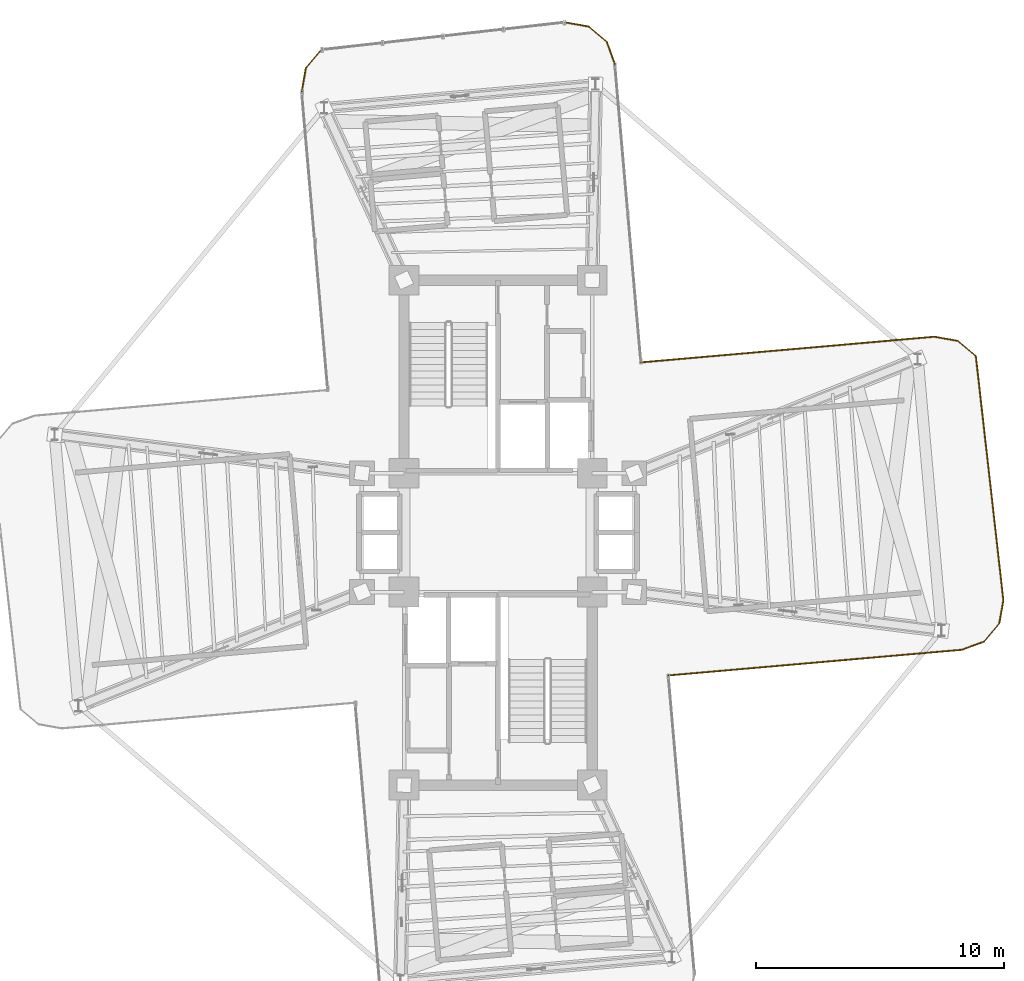
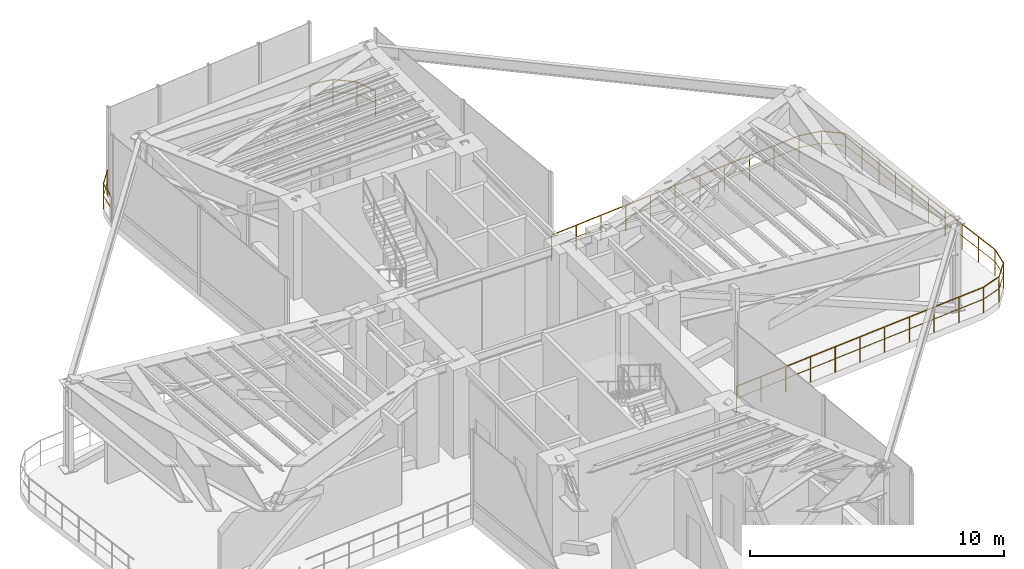
# One storey, part 17 of 17: 13 railings.
"""IFC4 building model written with IfcOpenShell, lengths in metres."""

from ifc_helpers import new_model, si_unit, direction, frame, origin, origin_2d, place, context, subcontext, project, spatial, circle, extrude, material, type_object, element, save


model = new_model("IFC4")

# Units and contexts
model_context = context("Model", 3, precision=1e-05, world=origin(), true_north=direction((0.0, 1.0)))
body_context = subcontext(model_context, "Body", "Model", "MODEL_VIEW")
ifc_project = project(units=[si_unit("LENGTHUNIT", "METRE"), si_unit("AREAUNIT", "SQUARE_METRE"), si_unit("VOLUMEUNIT", "CUBIC_METRE"), si_unit("PLANEANGLEUNIT", "RADIAN"), si_unit("MASSUNIT", "GRAM", prefix="KILO")], contexts=[model_context])

# Site, building, storey
site_placement = place(None, origin())
site = spatial("IfcSite", under=ifc_project, at=site_placement, CompositionType="ELEMENT")
building_placement = place(site_placement, origin())
building = spatial("IfcBuilding", under=site, at=building_placement, Name="Sahyath Konkavel Grand Hotel", CompositionType="ELEMENT")
storey_placement = place(building_placement, frame((0.0, 0.0, 202.0)))
storey = spatial("IfcBuildingStorey", under=building, at=storey_placement, Name="L56", CompositionType="ELEMENT", Elevation=202.0)

# Railings
ifc_material = material(Name="Warm Buff Sandstone & Bronze Balustrade", Category="masonry")
railing_type = type_object("IfcRailingType", Name="RLG-TERR-1250", PredefinedType="BALUSTRADE", material=ifc_material)
railing_1_placement = place(storey_placement, frame((6.87939453125, -5.7724609375, 0.0)))
element("IfcRailing", 1, at=railing_1_placement, inside=storey, type_object=railing_type, Name="L56 Fire Refuge Perimeter Guard 0", PredefinedType="BALUSTRADE", context=body_context, shape_type="SweptSolid", body=[
    extrude(circle(Radius=0.02392578125, at=origin_2d()), frame((0.001953125, 0.000244140625, 1.22607421875), z_axis=(0.996193093931, 0.08717407645, 0.0), x_axis=(-0.08717407645, 0.996193093931, 0.0)), (0.0, 0.0, 1.0), 11.895751953125),
    extrude(circle(Radius=0.01416015625, at=origin_2d()), frame((0.001953125, 0.000244140625, 0.64990234375), z_axis=(0.996193093931, 0.08717407645, 0.0), x_axis=(-0.08717407645, 0.996193093931, 0.0)), (0.0, 0.0, 1.0), 11.895751953125),
    extrude(circle(Radius=0.02099609375, at=origin_2d()), origin(), (0.0, 0.0, 1.0), 1.201904296875),
    extrude(circle(Radius=0.02099609375, at=origin_2d()), frame((1.185546875, 0.103759765625, 0.0)), (0.0, 0.0, 1.0), 1.201904296875),
    extrude(circle(Radius=0.02099609375, at=origin_2d()), frame((2.370849609375, 0.20751953125, 0.0)), (0.0, 0.0, 1.0), 1.201904296875),
    extrude(circle(Radius=0.02099609375, at=origin_2d()), frame((3.556396484375, 0.311279296875, 0.0)), (0.0, 0.0, 1.0), 1.201904296875),
    extrude(circle(Radius=0.02099609375, at=origin_2d()), frame((4.74169921875, 0.4150390625, 0.0)), (0.0, 0.0, 1.0), 1.201904296875),
    extrude(circle(Radius=0.02099609375, at=origin_2d()), frame((5.92724609375, 0.5185546875, 0.0)), (0.0, 0.0, 1.0), 1.201904296875),
    extrude(circle(Radius=0.02099609375, at=origin_2d()), frame((7.11279296875, 0.622314453125, 0.0)), (0.0, 0.0, 1.0), 1.201904296875),
    extrude(circle(Radius=0.02099609375, at=origin_2d()), frame((8.298095703125, 0.72607421875, 0.0)), (0.0, 0.0, 1.0), 1.201904296875),
    extrude(circle(Radius=0.02099609375, at=origin_2d()), frame((9.483642578125, 0.829833984375, 0.0)), (0.0, 0.0, 1.0), 1.201904296875),
    extrude(circle(Radius=0.02099609375, at=origin_2d()), frame((10.6689453125, 0.93359375, 0.0)), (0.0, 0.0, 1.0), 1.201904296875),
    extrude(circle(Radius=0.02099609375, at=origin_2d()), frame((11.8544921875, 1.037353515625, 0.0)), (0.0, 0.0, 1.0), 1.201904296875),
])
railing_2_placement = place(storey_placement, frame((18.73388671875, -4.735107421875, 0.0)))
element("IfcRailing", 2, at=railing_2_placement, inside=storey, type_object=railing_type, Name="L56 Fire Refuge Perimeter Guard 1", PredefinedType="BALUSTRADE", context=body_context, shape_type="SweptSolid", body=[
    extrude(circle(Radius=0.02392578125, at=origin_2d()), frame((0.001953125, 0.000732421875, 1.22607421875), z_axis=(0.939741306239, 0.34188635151, 0.0), x_axis=(-0.34188635151, 0.939741306239, 0.0)), (0.0, 0.0, 1.0), 0.95361328125),
    extrude(circle(Radius=0.01416015625, at=origin_2d()), frame((0.001953125, 0.000732421875, 0.64990234375), z_axis=(0.939741306239, 0.34188635151, 0.0), x_axis=(-0.34188635151, 0.939741306239, 0.0)), (0.0, 0.0, 1.0), 0.95361328125),
    extrude(circle(Radius=0.02099609375, at=origin_2d()), origin(), (0.0, 0.0, 1.0), 1.201904296875),
    extrude(circle(Radius=0.02099609375, at=origin_2d()), frame((0.89990234375, 0.327392578125, 0.0)), (0.0, 0.0, 1.0), 1.201904296875),
])
railing_3_placement = place(storey_placement, frame((19.6337890625, -4.40771484375, 0.0)))
element("IfcRailing", 3, at=railing_3_placement, inside=storey, type_object=railing_type, Name="L56 Fire Refuge Perimeter Guard 2", PredefinedType="BALUSTRADE", context=body_context, shape_type="SweptSolid", body=[
    extrude(circle(Radius=0.02392578125, at=origin_2d()), frame((0.001220703125, 0.00146484375, 1.22607421875), z_axis=(0.642863236823, 0.765980978054, 0.0), x_axis=(-0.765980978054, 0.642863236823, 0.0)), (0.0, 0.0, 1.0), 0.953857421875),
    extrude(circle(Radius=0.01416015625, at=origin_2d()), frame((0.001220703125, 0.00146484375, 0.64990234375), z_axis=(0.642863236823, 0.765980978054, 0.0), x_axis=(-0.765980978054, 0.642863236823, 0.0)), (0.0, 0.0, 1.0), 0.953857421875),
    extrude(circle(Radius=0.02099609375, at=origin_2d()), origin(), (0.0, 0.0, 1.0), 1.201904296875),
    extrude(circle(Radius=0.02099609375, at=origin_2d()), frame((0.61572265625, 0.733642578125, 0.0)), (0.0, 0.0, 1.0), 1.201904296875),
])
railing_4_placement = place(storey_placement, frame((20.24951171875, -3.674072265625, 0.0)))
element("IfcRailing", 4, at=railing_4_placement, inside=storey, type_object=railing_type, Name="L56 Fire Refuge Perimeter Guard 3", PredefinedType="BALUSTRADE", context=body_context, shape_type="SweptSolid", body=[
    extrude(circle(Radius=0.02392578125, at=origin_2d()), frame((0.000244140625, 0.001953125, 1.22607421875), z_axis=(0.173610811841, 0.984814340885, 0.0), x_axis=(-0.984814340885, 0.173610811841, 0.0)), (0.0, 0.0, 1.0), 0.95361328125),
    extrude(circle(Radius=0.01416015625, at=origin_2d()), frame((0.000244140625, 0.001953125, 0.64990234375), z_axis=(0.173610811841, 0.984814340885, 0.0), x_axis=(-0.984814340885, 0.173610811841, 0.0)), (0.0, 0.0, 1.0), 0.95361328125),
    extrude(circle(Radius=0.02099609375, at=origin_2d()), origin(), (0.0, 0.0, 1.0), 1.201904296875),
    extrude(circle(Radius=0.02099609375, at=origin_2d()), frame((0.166259765625, 0.943115234375, 0.0)), (0.0, 0.0, 1.0), 1.201904296875),
])
railing_5_placement = place(storey_placement, frame((20.415771484375, -2.73095703125, 0.0)))
element("IfcRailing", 5, at=railing_5_placement, inside=storey, type_object=railing_type, Name="L56 Fire Refuge Perimeter Guard 4", PredefinedType="BALUSTRADE", context=body_context, shape_type="SweptSolid", body=[
    extrude(circle(Radius=0.02392578125, at=origin_2d()), frame((-0.000244140625, 0.001953125, 1.22607421875), z_axis=(-0.112013021746, 0.993706738912, 0.0), x_axis=(-0.993706738912, -0.112013021746, 0.0)), (0.0, 0.0, 1.0), 9.924072265625),
    extrude(circle(Radius=0.01416015625, at=origin_2d()), frame((-0.000244140625, 0.001953125, 0.64990234375), z_axis=(-0.112013021746, 0.993706738912, 0.0), x_axis=(-0.993706738912, -0.112013021746, 0.0)), (0.0, 0.0, 1.0), 9.924072265625),
    extrude(circle(Radius=0.02099609375, at=origin_2d()), origin(), (0.0, 0.0, 1.0), 1.201904296875),
    extrude(circle(Radius=0.02099609375, at=origin_2d()), frame((-0.12353515625, 1.09619140625, 0.0)), (0.0, 0.0, 1.0), 1.201904296875),
    extrude(circle(Radius=0.02099609375, at=origin_2d()), frame((-0.2470703125, 2.1923828125, 0.0)), (0.0, 0.0, 1.0), 1.201904296875),
    extrude(circle(Radius=0.02099609375, at=origin_2d()), frame((-0.37060546875, 3.28857421875, 0.0)), (0.0, 0.0, 1.0), 1.201904296875),
    extrude(circle(Radius=0.02099609375, at=origin_2d()), frame((-0.494140625, 4.384765625, 0.0)), (0.0, 0.0, 1.0), 1.201904296875),
    extrude(circle(Radius=0.02099609375, at=origin_2d()), frame((-0.617919921875, 5.480712890625, 0.0)), (0.0, 0.0, 1.0), 1.201904296875),
    extrude(circle(Radius=0.02099609375, at=origin_2d()), frame((-0.741455078125, 6.576904296875, 0.0)), (0.0, 0.0, 1.0), 1.201904296875),
    extrude(circle(Radius=0.02099609375, at=origin_2d()), frame((-0.864990234375, 7.673095703125, 0.0)), (0.0, 0.0, 1.0), 1.201904296875),
    extrude(circle(Radius=0.02099609375, at=origin_2d()), frame((-0.988525390625, 8.769287109375, 0.0)), (0.0, 0.0, 1.0), 1.201904296875),
    extrude(circle(Radius=0.02099609375, at=origin_2d()), frame((-1.112060546875, 9.865478515625, 0.0)), (0.0, 0.0, 1.0), 1.201904296875),
])
railing_6_placement = place(storey_placement, frame((19.3037109375, 7.134521484375, 0.0)))
element("IfcRailing", 6, at=railing_6_placement, inside=storey, type_object=railing_type, Name="L56 Fire Refuge Perimeter Guard 5", PredefinedType="BALUSTRADE", context=body_context, shape_type="SweptSolid", body=[
    extrude(circle(Radius=0.02392578125, at=origin_2d()), frame((-0.00146484375, 0.001220703125, 1.22607421875), z_axis=(-0.766001159887, 0.642839189107, 0.0), x_axis=(-0.642839189107, -0.766001159887, 0.0)), (0.0, 0.0, 1.0), 0.953369140625),
    extrude(circle(Radius=0.01416015625, at=origin_2d()), frame((-0.00146484375, 0.001220703125, 0.64990234375), z_axis=(-0.766001159887, 0.642839189107, 0.0), x_axis=(-0.642839189107, -0.766001159887, 0.0)), (0.0, 0.0, 1.0), 0.953369140625),
    extrude(circle(Radius=0.02099609375, at=origin_2d()), origin(), (0.0, 0.0, 1.0), 1.201904296875),
    extrude(circle(Radius=0.02099609375, at=origin_2d()), frame((-0.7333984375, 0.615478515625, 0.0)), (0.0, 0.0, 1.0), 1.201904296875),
])
railing_7_placement = place(storey_placement, frame((18.5703125, 7.75, 0.0)))
element("IfcRailing", 7, at=railing_7_placement, inside=storey, type_object=railing_type, Name="L56 Fire Refuge Perimeter Guard 6", PredefinedType="BALUSTRADE", context=body_context, shape_type="SweptSolid", body=[
    extrude(circle(Radius=0.02392578125, at=origin_2d()), frame((-0.001953125, 0.000244140625, 1.22607421875), z_axis=(-0.984770724397, 0.173858046606, 0.0), x_axis=(-0.173858046606, -0.984770724397, 0.0)), (0.0, 0.0, 1.0), 0.95361328125),
    extrude(circle(Radius=0.01416015625, at=origin_2d()), frame((-0.001953125, 0.000244140625, 0.64990234375), z_axis=(-0.984770724397, 0.173858046606, 0.0), x_axis=(-0.173858046606, -0.984770724397, 0.0)), (0.0, 0.0, 1.0), 0.95361328125),
    extrude(circle(Radius=0.02099609375, at=origin_2d()), origin(), (0.0, 0.0, 1.0), 1.201904296875),
    extrude(circle(Radius=0.02099609375, at=origin_2d()), frame((-0.943115234375, 0.16650390625, 0.0)), (0.0, 0.0, 1.0), 1.201904296875),
])
railing_8_placement = place(storey_placement, frame((17.627197265625, 7.91650390625, 0.0)))
element("IfcRailing", 8, at=railing_8_placement, inside=storey, type_object=railing_type, Name="L56 Fire Refuge Perimeter Guard 7", PredefinedType="BALUSTRADE", context=body_context, shape_type="SweptSolid", body=[
    extrude(circle(Radius=0.02392578125, at=origin_2d()), frame((-0.001953125, -0.000244140625, 1.22607421875), z_axis=(-0.996195031246, -0.08715193469, 0.0), x_axis=(0.08715193469, -0.996195031246, 0.0)), (0.0, 0.0, 1.0), 11.89599609375),
    extrude(circle(Radius=0.01416015625, at=origin_2d()), frame((-0.001953125, -0.000244140625, 0.64990234375), z_axis=(-0.996195031246, -0.08715193469, 0.0), x_axis=(0.08715193469, -0.996195031246, 0.0)), (0.0, 0.0, 1.0), 11.89599609375),
    extrude(circle(Radius=0.02099609375, at=origin_2d()), origin(), (0.0, 0.0, 1.0), 1.201904296875),
    extrude(circle(Radius=0.02099609375, at=origin_2d()), frame((-1.185546875, -0.103759765625, 0.0)), (0.0, 0.0, 1.0), 1.201904296875),
    extrude(circle(Radius=0.02099609375, at=origin_2d()), frame((-2.370849609375, -0.20751953125, 0.0)), (0.0, 0.0, 1.0), 1.201904296875),
    extrude(circle(Radius=0.02099609375, at=origin_2d()), frame((-3.556396484375, -0.31103515625, 0.0)), (0.0, 0.0, 1.0), 1.201904296875),
    extrude(circle(Radius=0.02099609375, at=origin_2d()), frame((-4.741943359375, -0.414794921875, 0.0)), (0.0, 0.0, 1.0), 1.201904296875),
    extrude(circle(Radius=0.02099609375, at=origin_2d()), frame((-5.92724609375, -0.5185546875, 0.0)), (0.0, 0.0, 1.0), 1.201904296875),
    extrude(circle(Radius=0.02099609375, at=origin_2d()), frame((-7.11279296875, -0.622314453125, 0.0)), (0.0, 0.0, 1.0), 1.201904296875),
    extrude(circle(Radius=0.02099609375, at=origin_2d()), frame((-8.29833984375, -0.72607421875, 0.0)), (0.0, 0.0, 1.0), 1.201904296875),
    extrude(circle(Radius=0.02099609375, at=origin_2d()), frame((-9.48388671875, -0.82958984375, 0.0)), (0.0, 0.0, 1.0), 1.201904296875),
    extrude(circle(Radius=0.02099609375, at=origin_2d()), frame((-10.669189453125, -0.933349609375, 0.0)), (0.0, 0.0, 1.0), 1.201904296875),
    extrude(circle(Radius=0.02099609375, at=origin_2d()), frame((-11.854736328125, -1.037109375, 0.0)), (0.0, 0.0, 1.0), 1.201904296875),
])
railing_9_placement = place(storey_placement, frame((4.7177734375, 18.93310546875, 0.0)))
element("IfcRailing", 9, at=railing_9_placement, inside=storey, type_object=railing_type, Name="L56 Fire Refuge Perimeter Guard 9", PredefinedType="BALUSTRADE", context=body_context, shape_type="SweptSolid", body=[
    extrude(circle(Radius=0.02392578125, at=origin_2d()), frame((-0.000732421875, 0.001953125, 1.22607421875), z_axis=(-0.34188635151, 0.939741306239, 0.0), x_axis=(-0.939741306239, -0.34188635151, 0.0)), (0.0, 0.0, 1.0), 0.95361328125),
    extrude(circle(Radius=0.01416015625, at=origin_2d()), frame((-0.000732421875, 0.001953125, 0.64990234375), z_axis=(-0.34188635151, 0.939741306239, 0.0), x_axis=(-0.939741306239, -0.34188635151, 0.0)), (0.0, 0.0, 1.0), 0.95361328125),
    extrude(circle(Radius=0.02099609375, at=origin_2d()), origin(), (0.0, 0.0, 1.0), 1.201904296875),
    extrude(circle(Radius=0.02099609375, at=origin_2d()), frame((-0.327392578125, 0.89990234375, 0.0)), (0.0, 0.0, 1.0), 1.201904296875),
])
railing_10_placement = place(storey_placement, frame((4.390380859375, 19.8330078125, 0.0)))
element("IfcRailing", 10, at=railing_10_placement, inside=storey, type_object=railing_type, Name="L56 Fire Refuge Perimeter Guard 10", PredefinedType="BALUSTRADE", context=body_context, shape_type="SweptSolid", body=[
    extrude(circle(Radius=0.02392578125, at=origin_2d()), frame((-0.00146484375, 0.001220703125, 1.22607421875), z_axis=(-0.765980978054, 0.642863236823, 0.0), x_axis=(-0.642863236823, -0.765980978054, 0.0)), (0.0, 0.0, 1.0), 0.953857421875),
    extrude(circle(Radius=0.01416015625, at=origin_2d()), frame((-0.00146484375, 0.001220703125, 0.64990234375), z_axis=(-0.765980978054, 0.642863236823, 0.0), x_axis=(-0.642863236823, -0.765980978054, 0.0)), (0.0, 0.0, 1.0), 0.953857421875),
    extrude(circle(Radius=0.02099609375, at=origin_2d()), origin(), (0.0, 0.0, 1.0), 1.201904296875),
    extrude(circle(Radius=0.02099609375, at=origin_2d()), frame((-0.733642578125, 0.61572265625, 0.0)), (0.0, 0.0, 1.0), 1.201904296875),
])
railing_11_placement = place(storey_placement, frame((3.65673828125, 20.44873046875, 0.0)))
element("IfcRailing", 11, at=railing_11_placement, inside=storey, type_object=railing_type, Name="L56 Fire Refuge Perimeter Guard 11", PredefinedType="BALUSTRADE", context=body_context, shape_type="SweptSolid", body=[
    extrude(circle(Radius=0.02392578125, at=origin_2d()), frame((-0.001953125, 0.000244140625, 1.22607421875), z_axis=(-0.984814340885, 0.173610811841, 0.0), x_axis=(-0.173610811841, -0.984814340885, 0.0)), (0.0, 0.0, 1.0), 0.95361328125),
    extrude(circle(Radius=0.01416015625, at=origin_2d()), frame((-0.001953125, 0.000244140625, 0.64990234375), z_axis=(-0.984814340885, 0.173610811841, 0.0), x_axis=(-0.173610811841, -0.984814340885, 0.0)), (0.0, 0.0, 1.0), 0.95361328125),
    extrude(circle(Radius=0.02099609375, at=origin_2d()), origin(), (0.0, 0.0, 1.0), 1.201904296875),
    extrude(circle(Radius=0.02099609375, at=origin_2d()), frame((-0.943115234375, 0.166259765625, 0.0)), (0.0, 0.0, 1.0), 1.201904296875),
])
railing_12_placement = place(storey_placement, frame((-7.152099609375, 19.5029296875, 0.0)))
element("IfcRailing", 12, at=railing_12_placement, inside=storey, type_object=railing_type, Name="L56 Fire Refuge Perimeter Guard 13", PredefinedType="BALUSTRADE", context=body_context, shape_type="SweptSolid", body=[
    extrude(circle(Radius=0.02392578125, at=origin_2d()), frame((-0.001220703125, -0.00146484375, 1.22607421875), z_axis=(-0.642713642115, -0.766106503196, 0.0), x_axis=(0.766106503196, -0.642713642115, 0.0)), (0.0, 0.0, 1.0), 0.95361328125),
    extrude(circle(Radius=0.01416015625, at=origin_2d()), frame((-0.001220703125, -0.00146484375, 0.64990234375), z_axis=(-0.642713642115, -0.766106503196, 0.0), x_axis=(0.766106503196, -0.642713642115, 0.0)), (0.0, 0.0, 1.0), 0.95361328125),
    extrude(circle(Radius=0.02099609375, at=origin_2d()), origin(), (0.0, 0.0, 1.0), 1.201904296875),
    extrude(circle(Radius=0.02099609375, at=origin_2d()), frame((-0.615478515625, -0.733642578125, 0.0)), (0.0, 0.0, 1.0), 1.201904296875),
])
railing_13_placement = place(storey_placement, frame((-7.767578125, 18.769287109375, 0.0)))
element("IfcRailing", 13, at=railing_13_placement, inside=storey, type_object=railing_type, Name="L56 Fire Refuge Perimeter Guard 14", PredefinedType="BALUSTRADE", context=body_context, shape_type="SweptSolid", body=[
    extrude(circle(Radius=0.02392578125, at=origin_2d()), frame((-0.000244140625, -0.001953125, 1.22607421875), z_axis=(-0.173654409999, -0.984806654064, 0.0), x_axis=(0.984806654064, -0.173654409999, 0.0)), (0.0, 0.0, 1.0), 0.953369140625),
    extrude(circle(Radius=0.01416015625, at=origin_2d()), frame((-0.000244140625, -0.001953125, 0.64990234375), z_axis=(-0.173654409999, -0.984806654064, 0.0), x_axis=(0.984806654064, -0.173654409999, 0.0)), (0.0, 0.0, 1.0), 0.953369140625),
    extrude(circle(Radius=0.02099609375, at=origin_2d()), origin(), (0.0, 0.0, 1.0), 1.201904296875),
    extrude(circle(Radius=0.02099609375, at=origin_2d()), frame((-0.166259765625, -0.94287109375, 0.0)), (0.0, 0.0, 1.0), 1.201904296875),
])

save(model, "model.ifc")
